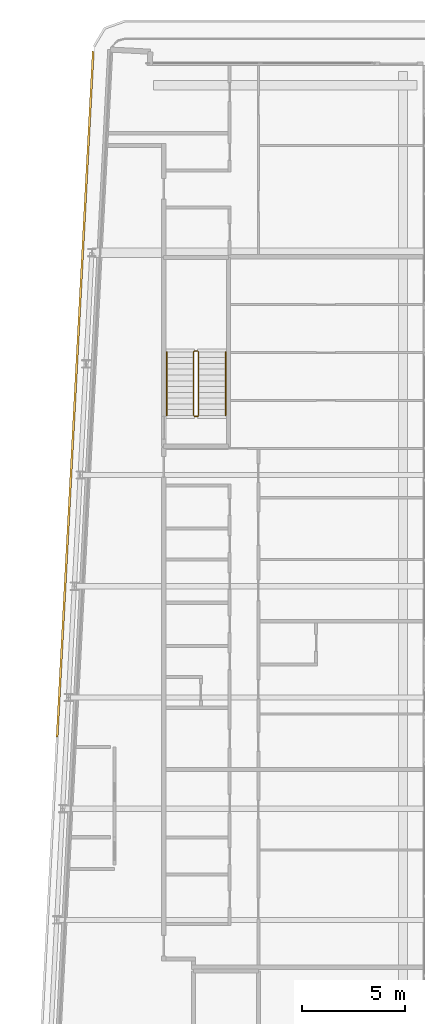
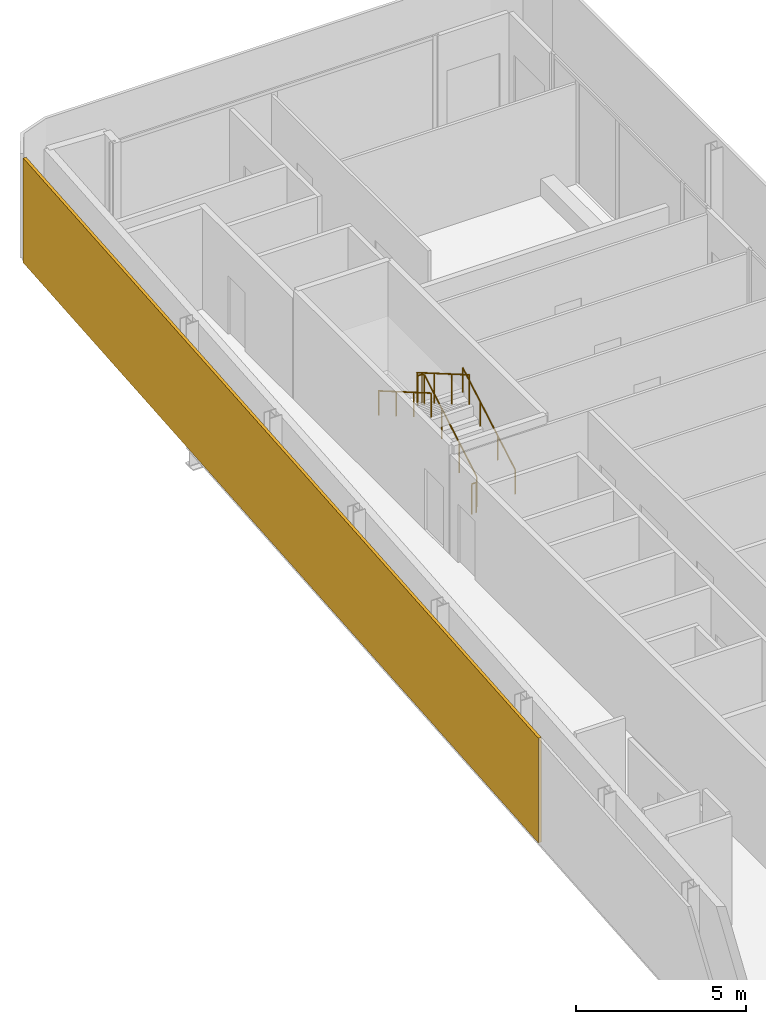
# One storey, part 20 of 22: 4 railings, 1 shading device.
"""IFC4 building model written with IfcOpenShell, lengths in metres."""

import ifcopenshell
import ifcopenshell.guid

model = None  # the IFC model being written
_history = None  # IfcOwnerHistory: only IFC2X3 demands one
_inside = {}  # id of a spatial element -> (the spatial element, [elements in it])
_under = {}  # id of a project, library or spatial element -> (it, [spatial elements below it])
_declared = {}  # id of a project -> (the project, [libraries it declares])
_typed = {}  # id of a type object -> (the type object, [elements of that type])
_made_of = {}  # id of a material, layer set ... -> (it, [elements and type objects made of it])


def new_model(schema):
    """Start an empty IFC model of exactly this schema.

    Asked for "IFC4X3", IfcOpenShell would pick the latest addendum, in which some entities
    have other attributes; the version numbers below select the first issue.
    IFC2X3 requires an IfcOwnerHistory on every rooted entity: one is made here for all.
    """
    global model, _history
    if schema == "IFC4X3":
        model = ifcopenshell.file(schema_version=(4, 3, 0, 0))
    else:
        model = ifcopenshell.file(schema=schema)
    _inside.clear()
    _under.clear()
    _declared.clear()
    _typed.clear()
    _made_of.clear()
    _history = None
    if model.schema == "IFC2X3":
        org = make("IfcOrganization", Name="unknown")
        user = make(
            "IfcPersonAndOrganization",
            ThePerson=make("IfcPerson", FamilyName="unknown"),
            TheOrganization=org,
        )
        app = make(
            "IfcApplication",
            ApplicationDeveloper=org,
            Version="unknown",
            ApplicationFullName="unknown",
            ApplicationIdentifier="unknown",
        )
        _history = make(
            "IfcOwnerHistory",
            OwningUser=user,
            OwningApplication=app,
            ChangeAction="ADDED",
            CreationDate=0,
        )
    return model


def make(cls, **values):
    """One entity of the class cls with the attributes given. An attribute that is None is left unset."""
    return model.create_entity(
        cls, **{name: value for name, value in values.items() if value is not None}
    )


def rooted(cls, **values):
    """An entity with a GlobalId (a new one), such as an element, a storey or a relation."""
    return make(cls, GlobalId=ifcopenshell.guid.new(), OwnerHistory=_history, **values)


def si_unit(unit_type, name, prefix=None):
    """IfcSIUnit, for example si_unit("LENGTHUNIT", "METRE", prefix="MILLI")."""
    return make("IfcSIUnit", UnitType=unit_type, Prefix=prefix, Name=name)


def assignment(units):
    """IfcUnitAssignment: the units of a project."""
    return None if units is None else make("IfcUnitAssignment", Units=units)


def point(xyz):
    """IfcCartesianPoint."""
    return None if xyz is None else make("IfcCartesianPoint", Coordinates=xyz)


def direction(xyz):
    """IfcDirection."""
    return None if xyz is None else make("IfcDirection", DirectionRatios=xyz)


def frame(location, z_axis=None, x_axis=None):
    """IfcAxis2Placement3D, a coordinate frame: its origin and axes. An axis left out is left unset."""
    return make(
        "IfcAxis2Placement3D",
        Location=point(location),
        Axis=direction(z_axis),
        RefDirection=direction(x_axis),
    )


def frame_2d(location, x_axis=None):
    """IfcAxis2Placement2D, a coordinate frame in the plane: its origin and x axis."""
    return make(
        "IfcAxis2Placement2D", Location=point(location), RefDirection=direction(x_axis)
    )


def origin():
    """The frame at (0, 0, 0) with its axes left unset."""
    return frame((0.0, 0.0, 0.0))


def origin_2d():
    """The frame at (0, 0) in the plane with its x axis left unset."""
    return frame_2d((0.0, 0.0))


def place(relative_to, where):
    """IfcLocalPlacement: puts the frame where relative to a parent placement (None: the world)."""
    return make(
        "IfcLocalPlacement", PlacementRelTo=relative_to, RelativePlacement=where
    )


def context(
    kind, dimensions, precision=None, world=None, true_north=None, identifier=None
):
    """IfcGeometricRepresentationContext, for example the 3D "Model" context."""
    return make(
        "IfcGeometricRepresentationContext",
        ContextIdentifier=identifier,
        ContextType=kind,
        CoordinateSpaceDimension=dimensions,
        Precision=precision,
        WorldCoordinateSystem=world,
        TrueNorth=true_north,
    )


def subcontext(parent, identifier, kind, view, scale=None):
    """IfcGeometricRepresentationSubContext, for example "Body" below "Model"."""
    return make(
        "IfcGeometricRepresentationSubContext",
        ContextIdentifier=identifier,
        ContextType=kind,
        ParentContext=parent,
        TargetScale=scale,
        TargetView=view,
    )


def project(units=None, contexts=None):
    """IfcProject with its units and contexts."""
    return rooted(
        "IfcProject",
        Name="project",
        RepresentationContexts=contexts,
        UnitsInContext=assignment(units),
    )


def spatial(cls, under=None, at=None, **own):
    """A site, building, storey or space (cls), placed at a placement, below another one or the project."""
    s = rooted(cls, ObjectPlacement=at, **own)
    if under is not None:
        _under.setdefault(under.id(), (under, []))[1].append(s)
    return s


def profile(cls, at=None, kind="AREA", **sizes):
    """A parametric profile (cls). Its sizes go by their IFC names, for example OverallWidth=200.0."""
    return make(cls, ProfileType=kind, Position=at, **sizes)


def rectangle(**sizes):
    """IfcRectangleProfileDef."""
    return profile("IfcRectangleProfileDef", **sizes)


def circle(**sizes):
    """IfcCircleProfileDef."""
    return profile("IfcCircleProfileDef", **sizes)


def extrude(swept, where, along, depth):
    """IfcExtrudedAreaSolid: the profile swept, set in the frame where, extruded along a direction by depth."""
    return make(
        "IfcExtrudedAreaSolid",
        SweptArea=swept,
        Position=where,
        ExtrudedDirection=direction(along),
        Depth=depth,
    )


def shape(context_of_items, identifier, shape_type, items):
    """IfcShapeRepresentation: the items that make up one representation, for example the "Body"."""
    return make(
        "IfcShapeRepresentation",
        ContextOfItems=context_of_items,
        RepresentationIdentifier=identifier,
        RepresentationType=shape_type,
        Items=items,
    )


def material(Name=None, Category=None):
    """IfcMaterial."""
    return make("IfcMaterial", Name=Name, Category=Category)


def layer(
    of_material, thickness, ventilated=None, Name=None, Category=None, Priority=None
):
    """IfcMaterialLayer: one layer of a wall or slab, of a material (None: an air gap)."""
    return make(
        "IfcMaterialLayer",
        Material=of_material,
        LayerThickness=thickness,
        IsVentilated=ventilated,
        Name=Name,
        Category=Category,
        Priority=Priority,
    )


def layer_set(layers, Name=None):
    """IfcMaterialLayerSet."""
    return make("IfcMaterialLayerSet", MaterialLayers=layers, LayerSetName=Name)


def made_of(thing, what):
    """Note that an element or type object is made of a material, layer set ...; save() writes the relation."""
    if what is not None:
        _made_of.setdefault(what.id(), (what, []))[1].append(thing)
    return thing


def type_object(cls, material=None, **own):
    """A type object (cls), such as IfcWallType, which elements share."""
    return made_of(rooted(cls, **own), material)


def element(
    cls,
    number,
    at=None,
    inside=None,
    cuts=None,
    type_object=None,
    material=None,
    context=None,
    identifier="Body",
    shape_type=None,
    held_by="IfcProductDefinitionShape",
    body=None,
    shapes=None,
    **own,
):
    """One element of the class cls, such as IfcWall. Its Tag is "e" and its number.

    at: its placement. inside: the storey or other place that contains it. cuts: it is an
    opening in that element (IfcRelVoidsElement). A single representation is given by context,
    identifier, shape_type and body (its items); several are given by shapes. held_by: the class
    of the entity that holds the representations. save() writes the other relations.
    """
    e = rooted(cls, Tag="e%d" % number, ObjectPlacement=at, **own)
    if body is not None:
        shapes = [shape(context, identifier, shape_type, body)]
    if shapes is not None:
        e.Representation = make(held_by, Representations=shapes)
    if inside is not None:
        _inside.setdefault(inside.id(), (inside, []))[1].append(e)
    if cuts is not None:
        rooted(
            "IfcRelVoidsElement", RelatingBuildingElement=cuts, RelatedOpeningElement=e
        )
    if type_object is not None:
        _typed.setdefault(type_object.id(), (type_object, []))[1].append(e)
    return made_of(e, material)


def aggregate(whole, parts):
    """IfcRelAggregates: a whole, such as a stair, and the parts it consists of."""
    return rooted("IfcRelAggregates", RelatingObject=whole, RelatedObjects=parts)


def save(model, path):
    """Write the relations noted so far, then the file.

    IfcRelAggregates (storeys below a building ...), IfcRelContainedInSpatialStructure (elements
    in a storey), IfcRelDefinesByType, IfcRelAssociatesMaterial and IfcRelDeclares: one each for
    every whole, place, type object, material and project.
    """
    for whole, parts in _under.values():
        aggregate(whole, parts)
    for where, things in _inside.values():
        rooted(
            "IfcRelContainedInSpatialStructure",
            RelatedElements=things,
            RelatingStructure=where,
        )
    for kind, things in _typed.values():
        rooted("IfcRelDefinesByType", RelatedObjects=things, RelatingType=kind)
    for what, things in _made_of.values():
        rooted("IfcRelAssociatesMaterial", RelatedObjects=things, RelatingMaterial=what)
    for by, libraries in _declared.values():
        rooted("IfcRelDeclares", RelatingContext=by, RelatedDefinitions=libraries)
    model.write(path)


model = new_model("IFC4")

# Units and contexts
model_context = context("Model", 3, precision=1e-05, world=origin(), true_north=direction((0.0, 1.0)))
body_context = subcontext(model_context, "Body", "Model", "MODEL_VIEW")
ifc_project = project(units=[si_unit("LENGTHUNIT", "METRE"), si_unit("AREAUNIT", "SQUARE_METRE"), si_unit("VOLUMEUNIT", "CUBIC_METRE"), si_unit("PLANEANGLEUNIT", "RADIAN"), si_unit("MASSUNIT", "GRAM", prefix="KILO")], contexts=[model_context])

# Site, building, storey
site_placement = place(None, origin())
site = spatial("IfcSite", under=ifc_project, at=site_placement, CompositionType="ELEMENT")
building_placement = place(site_placement, origin())
building = spatial("IfcBuilding", under=site, at=building_placement, Name="Kheshtan School and Residences Tower", CompositionType="ELEMENT")
storey_placement = place(building_placement, frame((0.0, 0.0, 274.699951171875)))
storey = spatial("IfcBuildingStorey", under=building, at=storey_placement, Name="L64", CompositionType="ELEMENT", Elevation=274.699951171875)

# Shading device
ifc_material_1 = material(Name="Terracotta baguette, extruded ceramic", Category="masonry")
ifc_layer = layer(ifc_material_1, 0.10009765625)
ifc_layer_set = layer_set([ifc_layer], Name="Ledge screen, terracotta baguettes")
shading_device_type = type_object("IfcShadingDeviceType", Name="Ledge screen, terracotta baguettes", PredefinedType="USERDEFINED", material=ifc_layer_set)
shading_device_placement = place(storey_placement, frame((28.9990234375, 81.93408203125, 0.0), z_axis=(0.0, 0.0, 1.0), x_axis=(0.052562536748, 0.998617634398, 0.0)))
element("IfcShadingDevice", 1, at=shading_device_placement, inside=storey, type_object=shading_device_type, Name="Screen L64 5", ObjectType="BAGUETTE", PredefinedType="USERDEFINED", context=body_context, shape_type="SweptSolid", body=[
    extrude(rectangle(XDim=33.341064453125, YDim=0.10009765625, at=origin_2d()), origin(), (0.0, 0.0, 1.0), 3.75),
])

# Railings
ifc_material_2 = material(Name="Stainless steel balustrade", Category="steel")
railing_type_1 = type_object("IfcRailingType", Name="Stair guard 1100", PredefinedType="GUARDRAIL", material=ifc_material_2)
railing_1_placement = place(storey_placement, frame((35.0, 80.89990234375, 0.16259765625)))
element("IfcRailing", 2, at=railing_1_placement, inside=storey, type_object=railing_type_1, Name="L64 ST3 stair guard 1", PredefinedType="GUARDRAIL", context=body_context, shape_type="SweptSolid", body=[
    extrude(circle(Radius=0.02392578125, at=origin_2d()), frame((0.0, 0.0, 1.076171875), z_axis=(0.0, 0.864920483161, 0.501908913857), x_axis=(-1.0, 0.0, 0.0)), (0.0, 0.0, 1.0), 3.56103515625),
    extrude(circle(Radius=0.02392578125, at=origin_2d()), frame((0.0, 3.080078125, 2.86328125), z_axis=(-0.707106781187, 0.707106781187, 0.0), x_axis=(-0.707106781187, -0.707106781187, 0.0)), (0.0, 0.0, 1.0), 0.07080078125),
    extrude(circle(Radius=0.02392578125, at=origin_2d()), frame((-0.050048828125, 3.130126953125, 2.86328125), z_axis=(-1.0, 0.0, 0.0), x_axis=(0.0, -1.0, 0.0)), (0.0, 0.0, 1.0), 0.14990234375),
    extrude(circle(Radius=0.02392578125, at=origin_2d()), frame((-0.199951171875, 3.130126953125, 2.86328125), z_axis=(-0.282227285176, -0.282227285176, 0.916894497205), x_axis=(0.707106781187, -0.707106781187, 0.0)), (0.0, 0.0, 1.0), 0.17724609375),
    extrude(circle(Radius=0.02392578125, at=origin_2d()), frame((-0.25, 3.080078125, 3.02587890625), z_axis=(0.0, -0.864890721111, 0.501960198159), x_axis=(1.0, 0.0, 0.0)), (0.0, 0.0, 1.0), 3.561279296875),
    extrude(circle(Radius=0.02099609375, at=origin_2d()), origin(), (0.0, 0.0, 1.0), 1.052001953125),
    extrude(circle(Radius=0.02099609375, at=origin_2d()), frame((0.0, 1.026611328125, 0.595703125)), (0.0, 0.0, 1.0), 1.052001953125),
    extrude(circle(Radius=0.02099609375, at=origin_2d()), frame((0.0, 2.053466796875, 1.191650390625)), (0.0, 0.0, 1.0), 1.052001953125),
    extrude(circle(Radius=0.02099609375, at=origin_2d()), frame((0.0, 3.080078125, 1.787353515625)), (0.0, 0.0, 1.0), 1.052001953125),
    extrude(circle(Radius=0.02099609375, at=origin_2d()), frame((-0.050048828125, 3.130126953125, 1.787353515625)), (0.0, 0.0, 1.0), 1.052001953125),
    extrude(circle(Radius=0.02099609375, at=origin_2d()), frame((-0.199951171875, 3.130126953125, 1.787353515625)), (0.0, 0.0, 1.0), 1.052001953125),
    extrude(circle(Radius=0.02099609375, at=origin_2d()), frame((-0.25, 3.080078125, 1.949951171875)), (0.0, 0.0, 1.0), 1.052001953125),
    extrude(circle(Radius=0.02099609375, at=origin_2d()), frame((-0.25, 2.053466796875, 2.5458984375)), (0.0, 0.0, 1.0), 1.052001953125),
    extrude(circle(Radius=0.02099609375, at=origin_2d()), frame((-0.25, 1.026611328125, 3.1416015625)), (0.0, 0.0, 1.0), 1.052001953125),
    extrude(circle(Radius=0.02099609375, at=origin_2d()), frame((-0.25, 0.0, 3.737548828125)), (0.0, 0.0, 1.0), 1.052001953125),
])
railing_2_placement = place(storey_placement, frame((34.949951171875, 80.85009765625, 0.0)))
element("IfcRailing", 3, at=railing_2_placement, inside=storey, type_object=railing_type_1, Name="L64 ST3 stair guard 2", PredefinedType="GUARDRAIL", context=body_context, shape_type="SweptSolid", body=[
    extrude(circle(Radius=0.02392578125, at=origin_2d()), frame((0.0, 0.0, 1.076171875), z_axis=(-1.0, 0.0, 0.0), x_axis=(0.0, -1.0, 0.0)), (0.0, 0.0, 1.0), 0.14990234375),
    extrude(circle(Radius=0.02099609375, at=origin_2d()), origin(), (0.0, 0.0, 1.0), 1.052001953125),
    extrude(circle(Radius=0.02099609375, at=origin_2d()), frame((-0.14990234375, 0.0, 0.0)), (0.0, 0.0, 1.0), 1.052001953125),
])
ifc_material_3 = material(Name="Stainless steel handrail", Category="steel")
railing_type_2 = type_object("IfcRailingType", Name="Stair handrail 900", PredefinedType="HANDRAIL", material=ifc_material_3)
railing_3_placement = place(storey_placement, frame((36.300048828125, 80.89990234375, 0.16259765625)))
element("IfcRailing", 4, at=railing_3_placement, inside=storey, type_object=railing_type_2, Name="L64 ST3 stair handrail 1", PredefinedType="HANDRAIL", context=body_context, shape_type="SweptSolid", body=[
    extrude(circle(Radius=0.02392578125, at=origin_2d()), frame((0.0, 0.0, 0.8759765625), z_axis=(0.0, 0.864920483161, 0.501908913857), x_axis=(-1.0, 0.0, 0.0)), (0.0, 0.0, 1.0), 3.56103515625),
    extrude(circle(Radius=0.02099609375, at=origin_2d()), origin(), (0.0, 0.0, 1.0), 0.851806640625),
    extrude(circle(Radius=0.02099609375, at=origin_2d()), frame((0.0, 1.026611328125, 0.595703125)), (0.0, 0.0, 1.0), 0.851806640625),
    extrude(circle(Radius=0.02099609375, at=origin_2d()), frame((0.0, 2.053466796875, 1.191650390625)), (0.0, 0.0, 1.0), 0.851806640625),
    extrude(circle(Radius=0.02099609375, at=origin_2d()), frame((0.0, 3.080078125, 1.787353515625)), (0.0, 0.0, 1.0), 0.851806640625),
])
railing_4_placement = place(storey_placement, frame((33.449951171875, 83.97998046875, 2.112548828125)))
element("IfcRailing", 5, at=railing_4_placement, inside=storey, type_object=railing_type_2, Name="L64 ST3 stair handrail 2", PredefinedType="HANDRAIL", context=body_context, shape_type="SweptSolid", body=[
    extrude(circle(Radius=0.02392578125, at=origin_2d()), frame((0.0, 0.0, 0.8759765625), z_axis=(0.0, -0.864890721111, 0.501960198159), x_axis=(1.0, 0.0, 0.0)), (0.0, 0.0, 1.0), 3.561279296875),
    extrude(circle(Radius=0.02099609375, at=origin_2d()), origin(), (0.0, 0.0, 1.0), 0.851806640625),
    extrude(circle(Radius=0.02099609375, at=origin_2d()), frame((0.0, -1.026611328125, 0.595947265625)), (0.0, 0.0, 1.0), 0.851806640625),
    extrude(circle(Radius=0.02099609375, at=origin_2d()), frame((0.0, -2.053466796875, 1.191650390625)), (0.0, 0.0, 1.0), 0.851806640625),
    extrude(circle(Radius=0.02099609375, at=origin_2d()), frame((0.0, -3.080078125, 1.78759765625)), (0.0, 0.0, 1.0), 0.851806640625),
])

save(model, "model.ifc")
